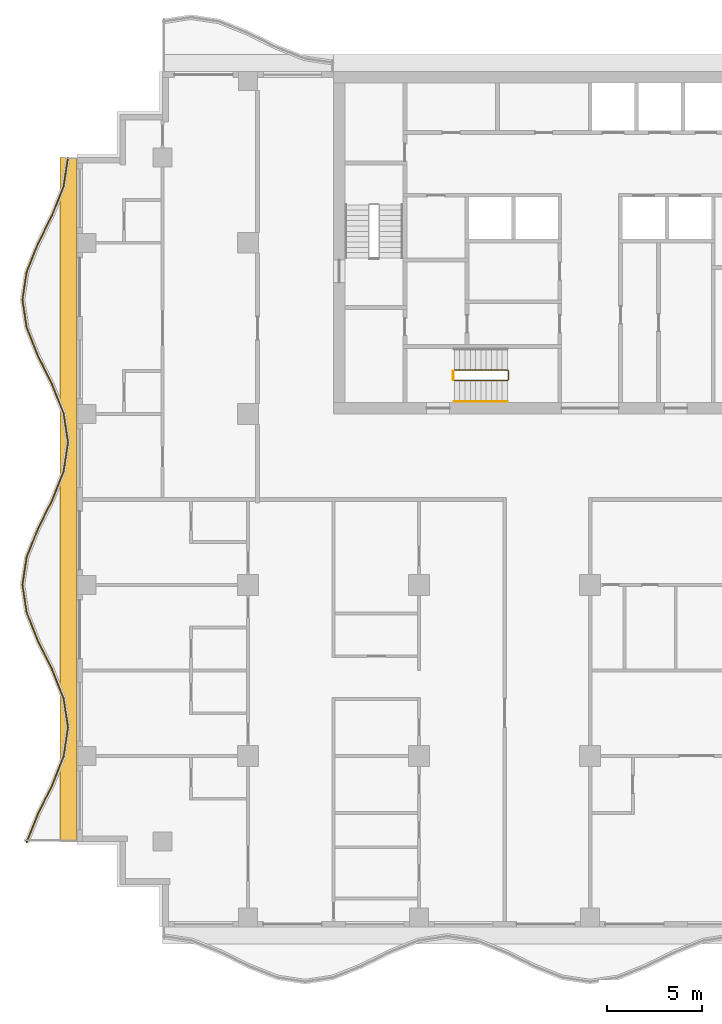
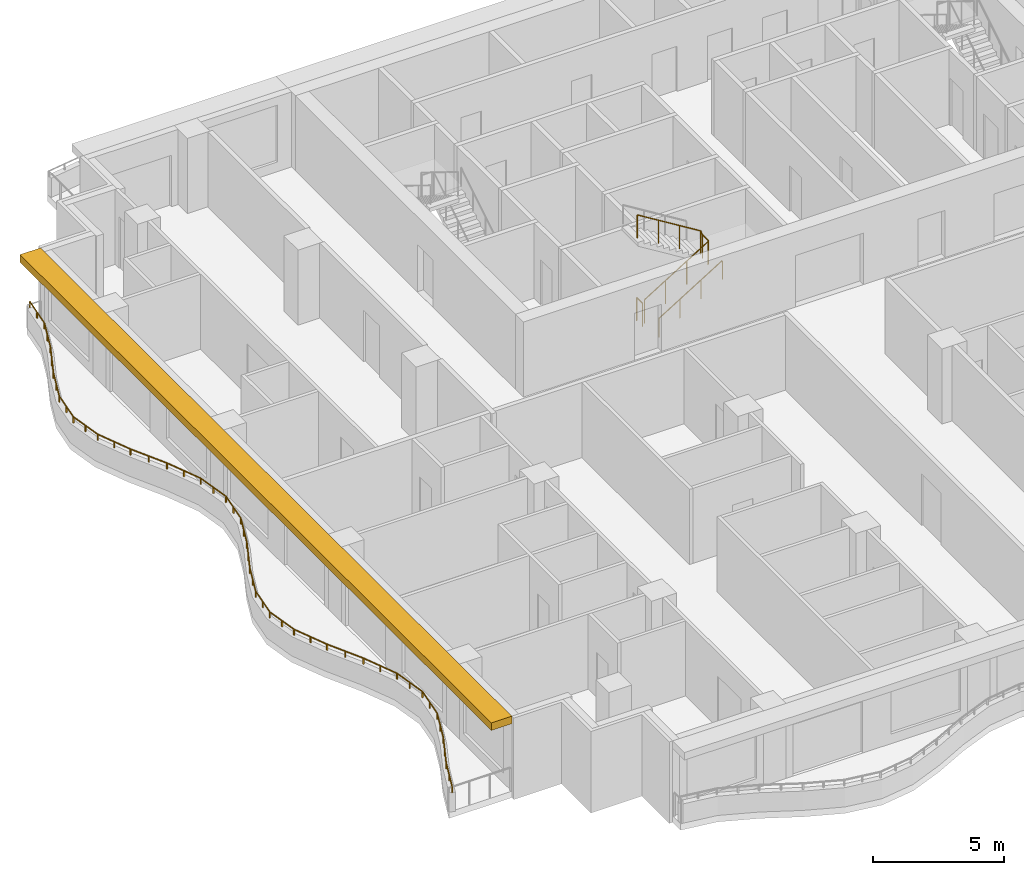
# One storey, part 9 of 12: 4 railings, 1 shading device.
"""IFC4 building model written with IfcOpenShell, lengths in metres."""

from ifc_helpers import new_model, si_unit, direction, frame, origin, origin_2d, place, context, subcontext, project, spatial, polyline, rectangle, circle, outline, extrude, material, layer, layer_set, type_object, element, save


model = new_model("IFC4")

# Units and contexts
model_context = context("Model", 3, precision=1e-05, world=origin(), true_north=direction((0.0, 1.0)))
body_context = subcontext(model_context, "Body", "Model", "MODEL_VIEW")
ifc_project = project(units=[si_unit("LENGTHUNIT", "METRE"), si_unit("AREAUNIT", "SQUARE_METRE"), si_unit("VOLUMEUNIT", "CUBIC_METRE"), si_unit("PLANEANGLEUNIT", "RADIAN"), si_unit("MASSUNIT", "GRAM", prefix="KILO")], contexts=[model_context])

# Site, building, storey
site_placement = place(None, origin())
site = spatial("IfcSite", under=ifc_project, at=site_placement, CompositionType="ELEMENT")
building_placement = place(site_placement, origin())
building = spatial("IfcBuilding", under=site, at=building_placement, Name="Orbiselva Terraces", CompositionType="ELEMENT")
storey_placement = place(building_placement, frame((0.0, 0.0, 203.4)))
storey = spatial("IfcBuildingStorey", under=building, at=storey_placement, Name="L51", CompositionType="ELEMENT", Elevation=203.4)

# Railings
ifc_material_1 = material(Name="Stainless steel", Category="steel")
railing_type_1 = type_object("IfcRailingType", Name="CORE-GUARD-1100", PredefinedType="GUARDRAIL", material=ifc_material_1)
railing_1_placement = place(storey_placement, frame((-7.15, 6.25, 0.172727)))
element("IfcRailing", 1, at=railing_1_placement, inside=storey, type_object=railing_type_1, Name="L51 S3 stair guard 1", PredefinedType="GUARDRAIL", context=body_context, shape_type="SweptSolid", body=[
    extrude(circle(Radius=0.024, at=origin_2d()), frame((0.0, 0.0, 1.081), z_axis=(0.851088519012, 0.0, 0.52502222125), x_axis=(0.0, 1.0, 0.0)), (0.0, 0.0, 1.0), 3.289905),
    extrude(circle(Radius=0.024, at=origin_2d()), frame((2.8, 0.0, 2.808273), z_axis=(0.707106781187, 0.707106781187, 0.0), x_axis=(-0.707106781187, 0.707106781187, 0.0)), (0.0, 0.0, 1.0), 0.070711),
    extrude(circle(Radius=0.024, at=origin_2d()), frame((2.85, 0.05, 2.808273), z_axis=(0.0, 1.0, 0.0), x_axis=(-1.0, 0.0, 0.0)), (0.0, 0.0, 1.0), 0.45),
    extrude(circle(Radius=0.024, at=origin_2d()), frame((2.85, 0.5, 2.808273), z_axis=(-0.267894925557, 0.267894925557, 0.925453736133), x_axis=(-0.707106781187, -0.707106781187, 0.0)), (0.0, 0.0, 1.0), 0.18664),
    extrude(circle(Radius=0.024, at=origin_2d()), frame((2.8, 0.55, 2.981), z_axis=(-0.851088519012, 0.0, 0.52502222125), x_axis=(0.0, -1.0, 0.0)), (0.0, 0.0, 1.0), 3.289905),
    extrude(circle(Radius=0.021, at=origin_2d()), origin(), (0.0, 0.0, 1.0), 1.057),
    extrude(circle(Radius=0.021, at=origin_2d()), frame((0.933333, 0.0, 0.575758)), (0.0, 0.0, 1.0), 1.057),
    extrude(circle(Radius=0.021, at=origin_2d()), frame((1.866667, 0.0, 1.151515)), (0.0, 0.0, 1.0), 1.057),
    extrude(circle(Radius=0.021, at=origin_2d()), frame((2.8, 0.0, 1.727273)), (0.0, 0.0, 1.0), 1.057),
    extrude(circle(Radius=0.021, at=origin_2d()), frame((2.85, 0.05, 1.727273)), (0.0, 0.0, 1.0), 1.057),
    extrude(circle(Radius=0.021, at=origin_2d()), frame((2.85, 0.5, 1.727273)), (0.0, 0.0, 1.0), 1.057),
    extrude(circle(Radius=0.021, at=origin_2d()), frame((2.8, 0.55, 1.9)), (0.0, 0.0, 1.0), 1.057),
    extrude(circle(Radius=0.021, at=origin_2d()), frame((1.866667, 0.55, 2.475758)), (0.0, 0.0, 1.0), 1.057),
    extrude(circle(Radius=0.021, at=origin_2d()), frame((0.933333, 0.55, 3.051515)), (0.0, 0.0, 1.0), 1.057),
    extrude(circle(Radius=0.021, at=origin_2d()), frame((0.0, 0.55, 3.627273)), (0.0, 0.0, 1.0), 1.057),
])
railing_2_placement = place(storey_placement, frame((-7.2, 6.3, 0.0)))
element("IfcRailing", 2, at=railing_2_placement, inside=storey, type_object=railing_type_1, Name="L51 S3 stair guard 2", PredefinedType="GUARDRAIL", context=body_context, shape_type="SweptSolid", body=[
    extrude(circle(Radius=0.024, at=origin_2d()), frame((0.0, 0.0, 1.081), z_axis=(0.0, 1.0, 0.0), x_axis=(-1.0, 0.0, 0.0)), (0.0, 0.0, 1.0), 0.45),
    extrude(circle(Radius=0.021, at=origin_2d()), origin(), (0.0, 0.0, 1.0), 1.057),
    extrude(circle(Radius=0.021, at=origin_2d()), frame((0.0, 0.45, 0.0)), (0.0, 0.0, 1.0), 1.057),
])
railing_type_2 = type_object("IfcRailingType", Name="CORE-HANDRAIL-900", PredefinedType="HANDRAIL", material=ifc_material_1)
railing_3_placement = place(storey_placement, frame((-7.15, 5.15, 0.172727)))
element("IfcRailing", 3, at=railing_3_placement, inside=storey, type_object=railing_type_2, Name="L51 S3 stair handrail 1", PredefinedType="HANDRAIL", context=body_context, shape_type="SweptSolid", body=[
    extrude(circle(Radius=0.024, at=origin_2d()), frame((0.0, 0.0, 0.876), z_axis=(0.851088519012, 0.0, 0.52502222125), x_axis=(0.0, 1.0, 0.0)), (0.0, 0.0, 1.0), 3.289905),
    extrude(circle(Radius=0.021, at=origin_2d()), origin(), (0.0, 0.0, 1.0), 0.852),
    extrude(circle(Radius=0.021, at=origin_2d()), frame((0.933333, 0.0, 0.575758)), (0.0, 0.0, 1.0), 0.852),
    extrude(circle(Radius=0.021, at=origin_2d()), frame((1.866667, 0.0, 1.151515)), (0.0, 0.0, 1.0), 0.852),
    extrude(circle(Radius=0.021, at=origin_2d()), frame((2.8, 0.0, 1.727273)), (0.0, 0.0, 1.0), 0.852),
])
ifc_material_2 = material(Name="Bonded two-ply safety glass balustrade, stainless steel posts", Category="steel")
railing_type_3 = type_object("IfcRailingType", Name="ENV-BALUSTRADE-1200", PredefinedType="BALUSTRADE", material=ifc_material_2)
railing_4_placement = place(storey_placement, frame((-27.476434, 17.981121, 0.9)))
element("IfcRailing", 4, at=railing_4_placement, inside=storey, type_object=railing_type_3, Name="Balcony balustrade L51 W", PredefinedType="BALUSTRADE", context=body_context, shape_type="SweptSolid", body=[
    extrude(outline(polyline([(0.028868, 0.0), (0.014434, 0.025), (-0.014434, 0.025), (-0.028868, 0.0), (-0.014434, -0.025), (0.014434, -0.025), (0.028868, 0.0)])), frame((0.0, 0.0, 0.275), z_axis=(-0.151033869252, -0.988528588529, 0.0), x_axis=(0.988528588529, -0.151033869252, 0.0)), (0.0, 0.0, 1.0), 1.531776),
    extrude(outline(polyline([(0.028868, 0.0), (0.014434, 0.025), (-0.014434, 0.025), (-0.028868, 0.0), (-0.014434, -0.025), (0.014434, -0.025), (0.028868, 0.0)])), frame((-0.23135, -1.514204, 0.275), z_axis=(-0.371390359967, -0.92847681744, 0.0), x_axis=(0.92847681744, -0.371390359967, 0.0)), (0.0, 0.0, 1.0), 1.634838),
    extrude(outline(polyline([(0.028868, 0.0), (0.014434, 0.025), (-0.014434, 0.025), (-0.028868, 0.0), (-0.014434, -0.025), (0.014434, -0.025), (0.028868, 0.0)])), frame((-0.838513, -3.032113, 0.275), z_axis=(-0.443212307306, -0.896416672454, 0.0), x_axis=(0.896416672454, -0.443212307306, 0.0)), (0.0, 0.0, 1.0), 1.673329),
    extrude(outline(polyline([(0.028868, 0.0), (0.014434, 0.025), (-0.014434, 0.025), (-0.028868, 0.0), (-0.014434, -0.025), (0.014434, -0.025), (0.028868, 0.0)])), frame((-1.580153, -4.532113, 0.275), z_axis=(-0.371391000387, -0.928476561272, 0.0), x_axis=(0.928476561272, -0.371391000387, 0.0)), (0.0, 0.0, 1.0), 1.596261),
    extrude(outline(polyline([(0.028868, 0.0), (0.014434, 0.025), (-0.014434, 0.025), (-0.028868, 0.0), (-0.014434, -0.025), (0.014434, -0.025), (0.028868, 0.0)])), frame((-2.17299, -6.014204, 0.275), z_axis=(-0.151033749027, -0.988528606898, 0.0), x_axis=(0.988528606898, -0.151033749027, 0.0)), (0.0, 0.0, 1.0), 1.48394),
    extrude(outline(polyline([(0.028868, 0.0), (0.014434, 0.025), (-0.014434, 0.025), (-0.028868, 0.0), (-0.014434, -0.025), (0.014434, -0.025), (0.028868, 0.0)])), frame((-2.397115, -7.481121, 0.275), z_axis=(0.151033749027, -0.988528606898, 0.0), x_axis=(0.988528606898, 0.151033749027, 0.0)), (0.0, 0.0, 1.0), 1.48394),
    extrude(outline(polyline([(0.028868, 0.0), (0.014434, 0.025), (-0.014434, 0.025), (-0.028868, 0.0), (-0.014434, -0.025), (0.014434, -0.025), (0.028868, 0.0)])), frame((-2.17299, -8.948038, 0.275), z_axis=(0.371391000387, -0.928476561272, 0.0), x_axis=(0.928476561272, 0.371391000387, 0.0)), (0.0, 0.0, 1.0), 1.596261),
    extrude(outline(polyline([(0.028868, 0.0), (0.014434, 0.025), (-0.014434, 0.025), (-0.028868, 0.0), (-0.014434, -0.025), (0.014434, -0.025), (0.028868, 0.0)])), frame((-1.580153, -10.430129, 0.275), z_axis=(0.443212307306, -0.896416672454, 0.0), x_axis=(0.896416672454, 0.443212307306, 0.0)), (0.0, 0.0, 1.0), 1.673329),
    extrude(outline(polyline([(0.028868, 0.0), (0.014434, 0.025), (-0.014434, 0.025), (-0.028868, 0.0), (-0.014434, -0.025), (0.014434, -0.025), (0.028868, 0.0)])), frame((-0.838513, -11.930129, 0.275), z_axis=(0.371390359967, -0.92847681744, 0.0), x_axis=(0.92847681744, 0.371390359967, 0.0)), (0.0, 0.0, 1.0), 1.634838),
    extrude(outline(polyline([(0.028868, 0.0), (0.014434, 0.025), (-0.014434, 0.025), (-0.028868, 0.0), (-0.014434, -0.025), (0.014434, -0.025), (0.028868, 0.0)])), frame((-0.23135, -13.448038, 0.275), z_axis=(0.151034211256, -0.988528536275, 0.0), x_axis=(0.988528536275, 0.151034211256, 0.0)), (0.0, 0.0, 1.0), 1.550874),
    extrude(outline(polyline([(0.028868, 0.0), (0.014434, 0.025), (-0.014434, 0.025), (-0.028868, 0.0), (-0.014434, -0.025), (0.014434, -0.025), (0.028868, 0.0)])), frame((0.002885, -14.981121, 0.275), z_axis=(-0.151034211256, -0.988528536275, 0.0), x_axis=(0.988528536275, -0.151034211256, 0.0)), (0.0, 0.0, 1.0), 1.550874),
    extrude(outline(polyline([(0.028868, 0.0), (0.014434, 0.025), (-0.014434, 0.025), (-0.028868, 0.0), (-0.014434, -0.025), (0.014434, -0.025), (0.028868, 0.0)])), frame((-0.23135, -16.514204, 0.275), z_axis=(-0.371390359967, -0.92847681744, 0.0), x_axis=(0.92847681744, -0.371390359967, 0.0)), (0.0, 0.0, 1.0), 1.634838),
    extrude(outline(polyline([(0.028868, 0.0), (0.014434, 0.025), (-0.014434, 0.025), (-0.028868, 0.0), (-0.014434, -0.025), (0.014434, -0.025), (0.028868, 0.0)])), frame((-0.838513, -18.032113, 0.275), z_axis=(-0.443212307306, -0.896416672454, 0.0), x_axis=(0.896416672454, -0.443212307306, 0.0)), (0.0, 0.0, 1.0), 1.673329),
    extrude(outline(polyline([(0.028868, 0.0), (0.014434, 0.025), (-0.014434, 0.025), (-0.028868, 0.0), (-0.014434, -0.025), (0.014434, -0.025), (0.028868, 0.0)])), frame((-1.580153, -19.532113, 0.275), z_axis=(-0.371391000387, -0.928476561272, 0.0), x_axis=(0.928476561272, -0.371391000387, 0.0)), (0.0, 0.0, 1.0), 1.596261),
    extrude(outline(polyline([(0.028868, 0.0), (0.014434, 0.025), (-0.014434, 0.025), (-0.028868, 0.0), (-0.014434, -0.025), (0.014434, -0.025), (0.028868, 0.0)])), frame((-2.17299, -21.014204, 0.275), z_axis=(-0.151033749027, -0.988528606898, 0.0), x_axis=(0.988528606898, -0.151033749027, 0.0)), (0.0, 0.0, 1.0), 1.48394),
    extrude(outline(polyline([(0.028868, 0.0), (0.014434, 0.025), (-0.014434, 0.025), (-0.028868, 0.0), (-0.014434, -0.025), (0.014434, -0.025), (0.028868, 0.0)])), frame((-2.397115, -22.481121, 0.275), z_axis=(0.151033749027, -0.988528606898, 0.0), x_axis=(0.988528606898, 0.151033749027, 0.0)), (0.0, 0.0, 1.0), 1.48394),
    extrude(outline(polyline([(0.028868, 0.0), (0.014434, 0.025), (-0.014434, 0.025), (-0.028868, 0.0), (-0.014434, -0.025), (0.014434, -0.025), (0.028868, 0.0)])), frame((-2.17299, -23.948038, 0.275), z_axis=(0.371391000387, -0.928476561272, 0.0), x_axis=(0.928476561272, 0.371391000387, 0.0)), (0.0, 0.0, 1.0), 1.596261),
    extrude(outline(polyline([(0.028868, 0.0), (0.014434, 0.025), (-0.014434, 0.025), (-0.028868, 0.0), (-0.014434, -0.025), (0.014434, -0.025), (0.028868, 0.0)])), frame((-1.580153, -25.430129, 0.275), z_axis=(0.443212307306, -0.896416672454, 0.0), x_axis=(0.896416672454, 0.443212307306, 0.0)), (0.0, 0.0, 1.0), 1.673329),
    extrude(outline(polyline([(0.028868, 0.0), (0.014434, 0.025), (-0.014434, 0.025), (-0.028868, 0.0), (-0.014434, -0.025), (0.014434, -0.025), (0.028868, 0.0)])), frame((-0.838513, -26.930129, 0.275), z_axis=(0.371390359967, -0.92847681744, 0.0), x_axis=(0.92847681744, 0.371390359967, 0.0)), (0.0, 0.0, 1.0), 1.634838),
    extrude(outline(polyline([(0.028868, 0.0), (0.014434, 0.025), (-0.014434, 0.025), (-0.028868, 0.0), (-0.014434, -0.025), (0.014434, -0.025), (0.028868, 0.0)])), frame((-0.23135, -28.448038, 0.275), z_axis=(0.151034211256, -0.988528536275, 0.0), x_axis=(0.988528536275, 0.151034211256, 0.0)), (0.0, 0.0, 1.0), 1.550874),
    extrude(outline(polyline([(0.028868, 0.0), (0.014434, 0.025), (-0.014434, 0.025), (-0.028868, 0.0), (-0.014434, -0.025), (0.014434, -0.025), (0.028868, 0.0)])), frame((0.002885, -29.981121, 0.275), z_axis=(-0.151034211256, -0.988528536275, 0.0), x_axis=(0.988528536275, -0.151034211256, 0.0)), (0.0, 0.0, 1.0), 1.550874),
    extrude(outline(polyline([(0.028868, 0.0), (0.014434, 0.025), (-0.014434, 0.025), (-0.028868, 0.0), (-0.014434, -0.025), (0.014434, -0.025), (0.028868, 0.0)])), frame((-0.23135, -31.514204, 0.275), z_axis=(-0.371390359967, -0.92847681744, 0.0), x_axis=(0.92847681744, -0.371390359967, 0.0)), (0.0, 0.0, 1.0), 1.634838),
    extrude(outline(polyline([(0.028868, 0.0), (0.014434, 0.025), (-0.014434, 0.025), (-0.028868, 0.0), (-0.014434, -0.025), (0.014434, -0.025), (0.028868, 0.0)])), frame((-0.838513, -33.032113, 0.275), z_axis=(-0.443212307306, -0.896416672454, 0.0), x_axis=(0.896416672454, -0.443212307306, 0.0)), (0.0, 0.0, 1.0), 1.673329),
    extrude(outline(polyline([(0.028868, 0.0), (0.014434, 0.025), (-0.014434, 0.025), (-0.028868, 0.0), (-0.014434, -0.025), (0.014434, -0.025), (0.028868, 0.0)])), frame((-1.580153, -34.532113, 0.275), z_axis=(-0.371390783402, -0.928476648066, 0.0), x_axis=(0.928476648066, -0.371390783402, 0.0)), (0.0, 0.0, 1.0), 1.61063),
    extrude(rectangle(XDim=0.05, YDim=0.05, at=origin_2d()), origin(), (0.0, 0.0, 1.0), 0.25),
    extrude(rectangle(XDim=0.05, YDim=0.05, at=origin_2d()), frame((-0.115675, -0.757102, 0.0)), (0.0, 0.0, 1.0), 0.25),
    extrude(rectangle(XDim=0.05, YDim=0.05, at=origin_2d()), frame((-0.23135, -1.514204, 0.0)), (0.0, 0.0, 1.0), 0.25),
    extrude(rectangle(XDim=0.05, YDim=0.05, at=origin_2d()), frame((-0.534931, -2.273159, 0.0)), (0.0, 0.0, 1.0), 0.25),
    extrude(rectangle(XDim=0.05, YDim=0.05, at=origin_2d()), frame((-0.838513, -3.032113, 0.0)), (0.0, 0.0, 1.0), 0.25),
    extrude(rectangle(XDim=0.05, YDim=0.05, at=origin_2d()), frame((-1.209333, -3.782113, 0.0)), (0.0, 0.0, 1.0), 0.25),
    extrude(rectangle(XDim=0.05, YDim=0.05, at=origin_2d()), frame((-1.580153, -4.532113, 0.0)), (0.0, 0.0, 1.0), 0.25),
    extrude(rectangle(XDim=0.05, YDim=0.05, at=origin_2d()), frame((-1.876571, -5.273159, 0.0)), (0.0, 0.0, 1.0), 0.25),
    extrude(rectangle(XDim=0.05, YDim=0.05, at=origin_2d()), frame((-2.17299, -6.014204, 0.0)), (0.0, 0.0, 1.0), 0.25),
    extrude(rectangle(XDim=0.05, YDim=0.05, at=origin_2d()), frame((-2.285052, -6.747663, 0.0)), (0.0, 0.0, 1.0), 0.25),
    extrude(rectangle(XDim=0.05, YDim=0.05, at=origin_2d()), frame((-2.397115, -7.481121, 0.0)), (0.0, 0.0, 1.0), 0.25),
    extrude(rectangle(XDim=0.05, YDim=0.05, at=origin_2d()), frame((-2.285052, -8.21458, 0.0)), (0.0, 0.0, 1.0), 0.25),
    extrude(rectangle(XDim=0.05, YDim=0.05, at=origin_2d()), frame((-2.17299, -8.948038, 0.0)), (0.0, 0.0, 1.0), 0.25),
    extrude(rectangle(XDim=0.05, YDim=0.05, at=origin_2d()), frame((-1.876571, -9.689084, 0.0)), (0.0, 0.0, 1.0), 0.25),
    extrude(rectangle(XDim=0.05, YDim=0.05, at=origin_2d()), frame((-1.580153, -10.430129, 0.0)), (0.0, 0.0, 1.0), 0.25),
    extrude(rectangle(XDim=0.05, YDim=0.05, at=origin_2d()), frame((-1.209333, -11.180129, 0.0)), (0.0, 0.0, 1.0), 0.25),
    extrude(rectangle(XDim=0.05, YDim=0.05, at=origin_2d()), frame((-0.838513, -11.930129, 0.0)), (0.0, 0.0, 1.0), 0.25),
    extrude(rectangle(XDim=0.05, YDim=0.05, at=origin_2d()), frame((-0.534931, -12.689084, 0.0)), (0.0, 0.0, 1.0), 0.25),
    extrude(rectangle(XDim=0.05, YDim=0.05, at=origin_2d()), frame((-0.23135, -13.448038, 0.0)), (0.0, 0.0, 1.0), 0.25),
    extrude(rectangle(XDim=0.05, YDim=0.05, at=origin_2d()), frame((-0.114232, -14.21458, 0.0)), (0.0, 0.0, 1.0), 0.25),
    extrude(rectangle(XDim=0.05, YDim=0.05, at=origin_2d()), frame((0.002885, -14.981121, 0.0)), (0.0, 0.0, 1.0), 0.25),
    extrude(rectangle(XDim=0.05, YDim=0.05, at=origin_2d()), frame((-0.114232, -15.747663, 0.0)), (0.0, 0.0, 1.0), 0.25),
    extrude(rectangle(XDim=0.05, YDim=0.05, at=origin_2d()), frame((-0.23135, -16.514204, 0.0)), (0.0, 0.0, 1.0), 0.25),
    extrude(rectangle(XDim=0.05, YDim=0.05, at=origin_2d()), frame((-0.534931, -17.273158, 0.0)), (0.0, 0.0, 1.0), 0.25),
    extrude(rectangle(XDim=0.05, YDim=0.05, at=origin_2d()), frame((-0.838513, -18.032113, 0.0)), (0.0, 0.0, 1.0), 0.25),
    extrude(rectangle(XDim=0.05, YDim=0.05, at=origin_2d()), frame((-1.209333, -18.782113, 0.0)), (0.0, 0.0, 1.0), 0.25),
    extrude(rectangle(XDim=0.05, YDim=0.05, at=origin_2d()), frame((-1.580153, -19.532113, 0.0)), (0.0, 0.0, 1.0), 0.25),
    extrude(rectangle(XDim=0.05, YDim=0.05, at=origin_2d()), frame((-1.876571, -20.273158, 0.0)), (0.0, 0.0, 1.0), 0.25),
    extrude(rectangle(XDim=0.05, YDim=0.05, at=origin_2d()), frame((-2.17299, -21.014204, 0.0)), (0.0, 0.0, 1.0), 0.25),
    extrude(rectangle(XDim=0.05, YDim=0.05, at=origin_2d()), frame((-2.285052, -21.747663, 0.0)), (0.0, 0.0, 1.0), 0.25),
    extrude(rectangle(XDim=0.05, YDim=0.05, at=origin_2d()), frame((-2.397115, -22.481121, 0.0)), (0.0, 0.0, 1.0), 0.25),
    extrude(rectangle(XDim=0.05, YDim=0.05, at=origin_2d()), frame((-2.285052, -23.21458, 0.0)), (0.0, 0.0, 1.0), 0.25),
    extrude(rectangle(XDim=0.05, YDim=0.05, at=origin_2d()), frame((-2.17299, -23.948038, 0.0)), (0.0, 0.0, 1.0), 0.25),
    extrude(rectangle(XDim=0.05, YDim=0.05, at=origin_2d()), frame((-1.876571, -24.689084, 0.0)), (0.0, 0.0, 1.0), 0.25),
    extrude(rectangle(XDim=0.05, YDim=0.05, at=origin_2d()), frame((-1.580153, -25.430129, 0.0)), (0.0, 0.0, 1.0), 0.25),
    extrude(rectangle(XDim=0.05, YDim=0.05, at=origin_2d()), frame((-1.209333, -26.180129, 0.0)), (0.0, 0.0, 1.0), 0.25),
    extrude(rectangle(XDim=0.05, YDim=0.05, at=origin_2d()), frame((-0.838513, -26.930129, 0.0)), (0.0, 0.0, 1.0), 0.25),
    extrude(rectangle(XDim=0.05, YDim=0.05, at=origin_2d()), frame((-0.534931, -27.689084, 0.0)), (0.0, 0.0, 1.0), 0.25),
    extrude(rectangle(XDim=0.05, YDim=0.05, at=origin_2d()), frame((-0.23135, -28.448038, 0.0)), (0.0, 0.0, 1.0), 0.25),
    extrude(rectangle(XDim=0.05, YDim=0.05, at=origin_2d()), frame((-0.114232, -29.21458, 0.0)), (0.0, 0.0, 1.0), 0.25),
    extrude(rectangle(XDim=0.05, YDim=0.05, at=origin_2d()), frame((0.002885, -29.981121, 0.0)), (0.0, 0.0, 1.0), 0.25),
    extrude(rectangle(XDim=0.05, YDim=0.05, at=origin_2d()), frame((-0.114232, -30.747662, 0.0)), (0.0, 0.0, 1.0), 0.25),
    extrude(rectangle(XDim=0.05, YDim=0.05, at=origin_2d()), frame((-0.23135, -31.514204, 0.0)), (0.0, 0.0, 1.0), 0.25),
    extrude(rectangle(XDim=0.05, YDim=0.05, at=origin_2d()), frame((-0.534931, -32.273158, 0.0)), (0.0, 0.0, 1.0), 0.25),
    extrude(rectangle(XDim=0.05, YDim=0.05, at=origin_2d()), frame((-0.838513, -33.032113, 0.0)), (0.0, 0.0, 1.0), 0.25),
    extrude(rectangle(XDim=0.05, YDim=0.05, at=origin_2d()), frame((-1.209333, -33.782113, 0.0)), (0.0, 0.0, 1.0), 0.25),
    extrude(rectangle(XDim=0.05, YDim=0.05, at=origin_2d()), frame((-1.580153, -34.532113, 0.0)), (0.0, 0.0, 1.0), 0.25),
    extrude(rectangle(XDim=0.05, YDim=0.05, at=origin_2d()), frame((-1.879239, -35.279829, 0.0)), (0.0, 0.0, 1.0), 0.25),
    extrude(rectangle(XDim=0.05, YDim=0.05, at=origin_2d()), frame((-2.178326, -36.027545, 0.0)), (0.0, 0.0, 1.0), 0.25),
])

# Shading device
ifc_material_3 = material(Name="Terracotta baguette sunshade", Category="masonry")
ifc_layer = layer(ifc_material_3, 0.35)
ifc_layer_set = layer_set([ifc_layer], Name="Terracotta baguette sunshade")
shading_device_type = type_object("IfcShadingDeviceType", Name="ENV-SUNSHADE-900x350", PredefinedType="USERDEFINED", material=ifc_layer_set)
shading_device_placement = place(storey_placement, frame((0.0, 0.0, 3.15)))
element("IfcShadingDevice", 5, at=shading_device_placement, inside=storey, type_object=shading_device_type, Name="Sunshade band L51 W", ObjectType="SUNSHADE", PredefinedType="USERDEFINED", context=body_context, shape_type="SweptSolid", body=[
    extrude(outline(polyline([(-27.9, 18.0), (-27.9, -18.0), (-27.0, -18.0), (-27.0, 18.0), (-27.9, 18.0)])), origin(), (0.0, 0.0, 1.0), 0.35),
])

save(model, "model.ifc")
